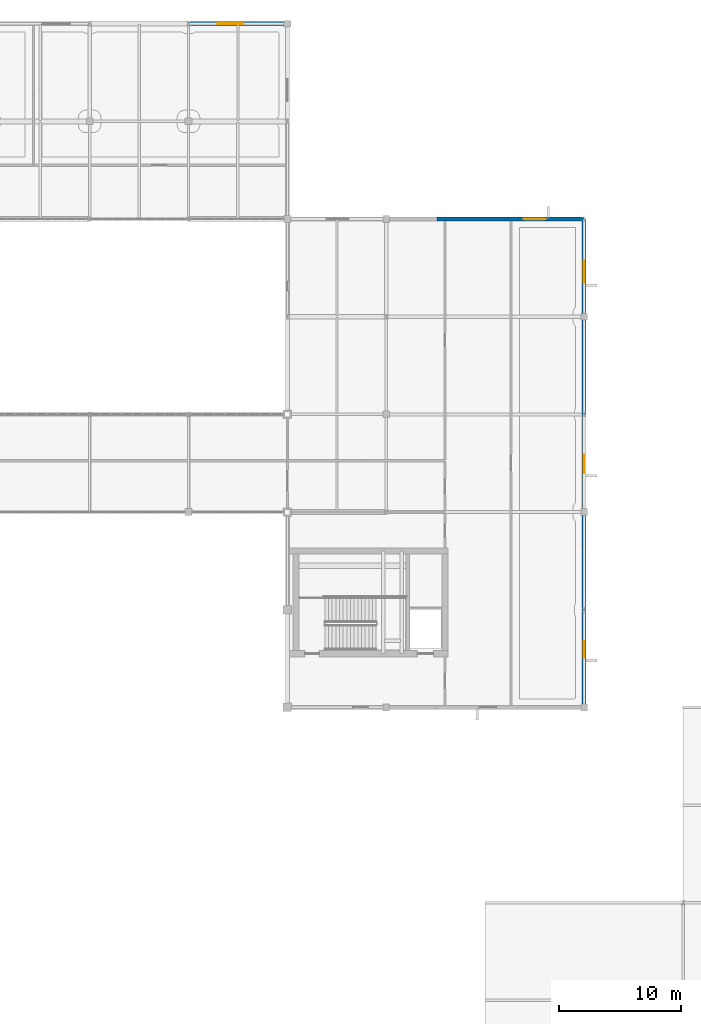
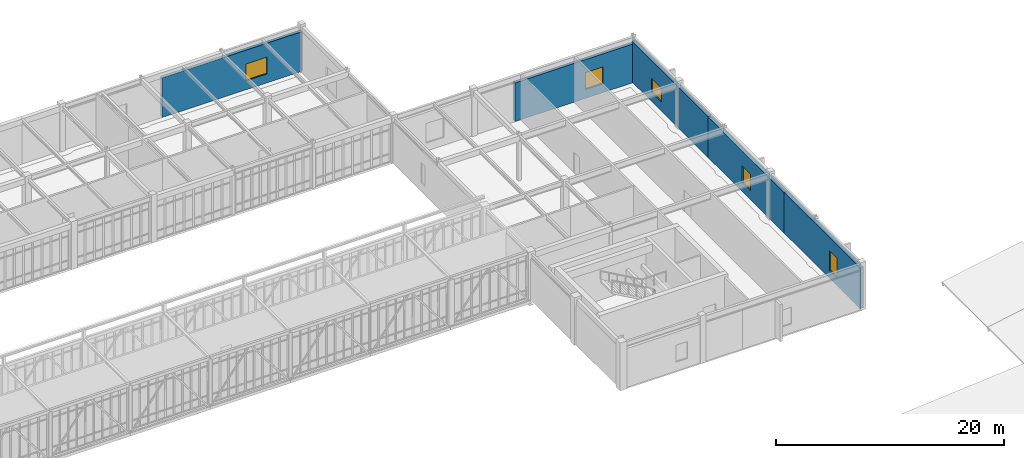
# One storey, part 99 of 107: 5 walls, 5 windows, 5 openings.
"""IFC4 building model written with IfcOpenShell, lengths in metres."""

import ifcopenshell
import ifcopenshell.guid

model = None  # the IFC model being written
_history = None  # IfcOwnerHistory: only IFC2X3 demands one
_inside = {}  # id of a spatial element -> (the spatial element, [elements in it])
_under = {}  # id of a project, library or spatial element -> (it, [spatial elements below it])
_declared = {}  # id of a project -> (the project, [libraries it declares])
_typed = {}  # id of a type object -> (the type object, [elements of that type])
_made_of = {}  # id of a material, layer set ... -> (it, [elements and type objects made of it])


def new_model(schema):
    """Start an empty IFC model of exactly this schema.

    Asked for "IFC4X3", IfcOpenShell would pick the latest addendum, in which some entities
    have other attributes; the version numbers below select the first issue.
    IFC2X3 requires an IfcOwnerHistory on every rooted entity: one is made here for all.
    """
    global model, _history
    if schema == "IFC4X3":
        model = ifcopenshell.file(schema_version=(4, 3, 0, 0))
    else:
        model = ifcopenshell.file(schema=schema)
    _inside.clear()
    _under.clear()
    _declared.clear()
    _typed.clear()
    _made_of.clear()
    _history = None
    if model.schema == "IFC2X3":
        org = make("IfcOrganization", Name="unknown")
        user = make(
            "IfcPersonAndOrganization",
            ThePerson=make("IfcPerson", FamilyName="unknown"),
            TheOrganization=org,
        )
        app = make(
            "IfcApplication",
            ApplicationDeveloper=org,
            Version="unknown",
            ApplicationFullName="unknown",
            ApplicationIdentifier="unknown",
        )
        _history = make(
            "IfcOwnerHistory",
            OwningUser=user,
            OwningApplication=app,
            ChangeAction="ADDED",
            CreationDate=0,
        )
    return model


def make(cls, **values):
    """One entity of the class cls with the attributes given. An attribute that is None is left unset."""
    return model.create_entity(
        cls, **{name: value for name, value in values.items() if value is not None}
    )


def rooted(cls, **values):
    """An entity with a GlobalId (a new one), such as an element, a storey or a relation."""
    return make(cls, GlobalId=ifcopenshell.guid.new(), OwnerHistory=_history, **values)


def si_unit(unit_type, name, prefix=None):
    """IfcSIUnit, for example si_unit("LENGTHUNIT", "METRE", prefix="MILLI")."""
    return make("IfcSIUnit", UnitType=unit_type, Prefix=prefix, Name=name)


def assignment(units):
    """IfcUnitAssignment: the units of a project."""
    return None if units is None else make("IfcUnitAssignment", Units=units)


def point(xyz):
    """IfcCartesianPoint."""
    return None if xyz is None else make("IfcCartesianPoint", Coordinates=xyz)


def direction(xyz):
    """IfcDirection."""
    return None if xyz is None else make("IfcDirection", DirectionRatios=xyz)


def frame(location, z_axis=None, x_axis=None):
    """IfcAxis2Placement3D, a coordinate frame: its origin and axes. An axis left out is left unset."""
    return make(
        "IfcAxis2Placement3D",
        Location=point(location),
        Axis=direction(z_axis),
        RefDirection=direction(x_axis),
    )


def frame_2d(location, x_axis=None):
    """IfcAxis2Placement2D, a coordinate frame in the plane: its origin and x axis."""
    return make(
        "IfcAxis2Placement2D", Location=point(location), RefDirection=direction(x_axis)
    )


def origin():
    """The frame at (0, 0, 0) with its axes left unset."""
    return frame((0.0, 0.0, 0.0))


def place(relative_to, where):
    """IfcLocalPlacement: puts the frame where relative to a parent placement (None: the world)."""
    return make(
        "IfcLocalPlacement", PlacementRelTo=relative_to, RelativePlacement=where
    )


def context(
    kind, dimensions, precision=None, world=None, true_north=None, identifier=None
):
    """IfcGeometricRepresentationContext, for example the 3D "Model" context."""
    return make(
        "IfcGeometricRepresentationContext",
        ContextIdentifier=identifier,
        ContextType=kind,
        CoordinateSpaceDimension=dimensions,
        Precision=precision,
        WorldCoordinateSystem=world,
        TrueNorth=true_north,
    )


def subcontext(parent, identifier, kind, view, scale=None):
    """IfcGeometricRepresentationSubContext, for example "Body" below "Model"."""
    return make(
        "IfcGeometricRepresentationSubContext",
        ContextIdentifier=identifier,
        ContextType=kind,
        ParentContext=parent,
        TargetScale=scale,
        TargetView=view,
    )


def project(units=None, contexts=None):
    """IfcProject with its units and contexts."""
    return rooted(
        "IfcProject",
        Name="project",
        RepresentationContexts=contexts,
        UnitsInContext=assignment(units),
    )


def spatial(cls, under=None, at=None, **own):
    """A site, building, storey or space (cls), placed at a placement, below another one or the project."""
    s = rooted(cls, ObjectPlacement=at, **own)
    if under is not None:
        _under.setdefault(under.id(), (under, []))[1].append(s)
    return s


def profile(cls, at=None, kind="AREA", **sizes):
    """A parametric profile (cls). Its sizes go by their IFC names, for example OverallWidth=200.0."""
    return make(cls, ProfileType=kind, Position=at, **sizes)


def rectangle(**sizes):
    """IfcRectangleProfileDef."""
    return profile("IfcRectangleProfileDef", **sizes)


def extrude(swept, where, along, depth):
    """IfcExtrudedAreaSolid: the profile swept, set in the frame where, extruded along a direction by depth."""
    return make(
        "IfcExtrudedAreaSolid",
        SweptArea=swept,
        Position=where,
        ExtrudedDirection=direction(along),
        Depth=depth,
    )


def shape(context_of_items, identifier, shape_type, items):
    """IfcShapeRepresentation: the items that make up one representation, for example the "Body"."""
    return make(
        "IfcShapeRepresentation",
        ContextOfItems=context_of_items,
        RepresentationIdentifier=identifier,
        RepresentationType=shape_type,
        Items=items,
    )


def material(Name=None, Category=None):
    """IfcMaterial."""
    return make("IfcMaterial", Name=Name, Category=Category)


def layer(
    of_material, thickness, ventilated=None, Name=None, Category=None, Priority=None
):
    """IfcMaterialLayer: one layer of a wall or slab, of a material (None: an air gap)."""
    return make(
        "IfcMaterialLayer",
        Material=of_material,
        LayerThickness=thickness,
        IsVentilated=ventilated,
        Name=Name,
        Category=Category,
        Priority=Priority,
    )


def layer_set(layers, Name=None):
    """IfcMaterialLayerSet."""
    return make("IfcMaterialLayerSet", MaterialLayers=layers, LayerSetName=Name)


def made_of(thing, what):
    """Note that an element or type object is made of a material, layer set ...; save() writes the relation."""
    if what is not None:
        _made_of.setdefault(what.id(), (what, []))[1].append(thing)
    return thing


def type_object(cls, material=None, **own):
    """A type object (cls), such as IfcWallType, which elements share."""
    return made_of(rooted(cls, **own), material)


def element(
    cls,
    number,
    at=None,
    inside=None,
    cuts=None,
    type_object=None,
    material=None,
    context=None,
    identifier="Body",
    shape_type=None,
    held_by="IfcProductDefinitionShape",
    body=None,
    shapes=None,
    **own,
):
    """One element of the class cls, such as IfcWall. Its Tag is "e" and its number.

    at: its placement. inside: the storey or other place that contains it. cuts: it is an
    opening in that element (IfcRelVoidsElement). A single representation is given by context,
    identifier, shape_type and body (its items); several are given by shapes. held_by: the class
    of the entity that holds the representations. save() writes the other relations.
    """
    e = rooted(cls, Tag="e%d" % number, ObjectPlacement=at, **own)
    if body is not None:
        shapes = [shape(context, identifier, shape_type, body)]
    if shapes is not None:
        e.Representation = make(held_by, Representations=shapes)
    if inside is not None:
        _inside.setdefault(inside.id(), (inside, []))[1].append(e)
    if cuts is not None:
        rooted(
            "IfcRelVoidsElement", RelatingBuildingElement=cuts, RelatedOpeningElement=e
        )
    if type_object is not None:
        _typed.setdefault(type_object.id(), (type_object, []))[1].append(e)
    return made_of(e, material)


def fill(opening, filler):
    """IfcRelFillsElement: the door or window that sits in an opening."""
    return rooted(
        "IfcRelFillsElement",
        RelatingOpeningElement=opening,
        RelatedBuildingElement=filler,
    )


def aggregate(whole, parts):
    """IfcRelAggregates: a whole, such as a stair, and the parts it consists of."""
    return rooted("IfcRelAggregates", RelatingObject=whole, RelatedObjects=parts)


def save(model, path):
    """Write the relations noted so far, then the file.

    IfcRelAggregates (storeys below a building ...), IfcRelContainedInSpatialStructure (elements
    in a storey), IfcRelDefinesByType, IfcRelAssociatesMaterial and IfcRelDeclares: one each for
    every whole, place, type object, material and project.
    """
    for whole, parts in _under.values():
        aggregate(whole, parts)
    for where, things in _inside.values():
        rooted(
            "IfcRelContainedInSpatialStructure",
            RelatedElements=things,
            RelatingStructure=where,
        )
    for kind, things in _typed.values():
        rooted("IfcRelDefinesByType", RelatedObjects=things, RelatingType=kind)
    for what, things in _made_of.values():
        rooted("IfcRelAssociatesMaterial", RelatedObjects=things, RelatingMaterial=what)
    for by, libraries in _declared.values():
        rooted("IfcRelDeclares", RelatingContext=by, RelatedDefinitions=libraries)
    model.write(path)


model = new_model("IFC4")

# Units and contexts
model_context = context("Model", 3, precision=1e-05, world=origin(), true_north=direction((0.0, 1.0)))
body_context = subcontext(model_context, "Body", "Model", "MODEL_VIEW")
ifc_project = project(units=[si_unit("LENGTHUNIT", "METRE"), si_unit("AREAUNIT", "SQUARE_METRE"), si_unit("VOLUMEUNIT", "CUBIC_METRE"), si_unit("PLANEANGLEUNIT", "RADIAN"), si_unit("MASSUNIT", "GRAM", prefix="KILO")], contexts=[model_context])

# Site, building, storey
site_placement = place(None, origin())
site = spatial("IfcSite", under=ifc_project, at=site_placement, CompositionType="ELEMENT")
building_placement = place(site_placement, origin())
building = spatial("IfcBuilding", under=site, at=building_placement, Name="Tarnveldt Square Police Headquarters", CompositionType="ELEMENT")
storey_placement = place(building_placement, frame((0.0, 0.0, 14.699951171875)))
storey = spatial("IfcBuildingStorey", under=building, at=storey_placement, Name="L03", CompositionType="ELEMENT", Elevation=14.699951171875)

# Wall, opening, window
ifc_material_1 = material(Name="Concrete 40 MPa", Category="concrete")
ifc_layer = layer(ifc_material_1, 0.320068359375)
ifc_layer_set = layer_set([ifc_layer], Name="Concrete 40 MPa")
wall_type = type_object("IfcWallType", Name="WL-EXT-BH320", PredefinedType="SOLIDWALL", material=ifc_layer_set)
wall_1_placement = place(storey_placement, frame((129.60009765625, 56.0, 0.0), z_axis=(0.0, 0.0, 1.0), x_axis=(0.0, 1.0, 0.0)))
wall_1 = element("IfcWall", 1, at=wall_1_placement, inside=storey, type_object=wall_type, Name="L03 Brutalist Exterior Wall 0165", PredefinedType="SOLIDWALL", context=body_context, shape_type="SweptSolid", body=[
    extrude(rectangle(XDim=13.333251953125, YDim=0.320068359375, at=frame_2d((6.66650390625, 0.0))), origin(), (0.0, 0.0, 1.0), 4.369140625),
])
opening_1_placement = place(wall_1_placement, frame((4.050048828125, 0.0, 0.85009765625)))
opening_1 = element("IfcOpeningElement", 2, at=opening_1_placement, cuts=wall_1, Name="Opening W06", PredefinedType="OPENING", context=body_context, shape_type="SweptSolid", body=[
    extrude(rectangle(XDim=1.35009765625, YDim=2.10009765625, at=frame_2d((0.675048828125, 1.050048828125))), frame((0.0, 0.169921875, 0.0), z_axis=(0.0, -1.0, 0.0), x_axis=(1.0, 0.0, 0.0)), (0.0, 0.0, 1.0), 0.340087890625),
])
ifc_material_2 = material(Name="Triple-glazed low-e laminated vision glass", Category="glass")
window_type_1 = type_object("IfcWindowType", Name="WIN-DR-135x210", PartitioningType="DOUBLE_PANEL_VERTICAL", PredefinedType="WINDOW", material=ifc_material_2)
window_1_placement = place(opening_1_placement, origin())
window_1 = element("IfcWindow", 3, at=window_1_placement, inside=storey, type_object=window_type_1, Name="L03 Deep-Reveal Brutalist Window 0078", OverallHeight=2.10009765625, OverallWidth=1.35009765625, PartitioningType="DOUBLE_PANEL_VERTICAL", PredefinedType="WINDOW", context=body_context, shape_type="SweptSolid", body=[
    extrude(rectangle(XDim=1.35009765625, YDim=2.10009765625, at=frame_2d((0.675048828125, 1.050048828125))), frame((0.0, 0.030029296875, 0.0), z_axis=(0.0, -1.0, 0.0), x_axis=(1.0, 0.0, 0.0)), (0.0, 0.0, 1.0), 0.06005859375),
])
fill(opening_1, window_1)

wall_2_placement = place(storey_placement, frame((129.60009765625, 69.333251953125, 0.0), z_axis=(0.0, 0.0, 1.0), x_axis=(0.0, 1.0, 0.0)))
wall_2 = element("IfcWall", 4, at=wall_2_placement, inside=storey, type_object=wall_type, Name="L03 Brutalist Exterior Wall 0166", PredefinedType="SOLIDWALL", context=body_context, shape_type="SweptSolid", body=[
    extrude(rectangle(XDim=13.33349609375, YDim=0.320068359375, at=frame_2d((6.666748046875, 0.0))), origin(), (0.0, 0.0, 1.0), 4.33203125),
])
opening_2_placement = place(wall_2_placement, frame((5.85009765625, 0.0, 0.949951171875)))
opening_2 = element("IfcOpeningElement", 5, at=opening_2_placement, cuts=wall_2, Name="Opening W07", PredefinedType="OPENING", context=body_context, shape_type="SweptSolid", body=[
    extrude(rectangle(XDim=1.5, YDim=1.800048828125, at=frame_2d((0.75, 0.89990234375))), frame((0.0, 0.169921875, 0.0), z_axis=(0.0, -1.0, 0.0), x_axis=(1.0, 0.0, 0.0)), (0.0, 0.0, 1.0), 0.340087890625),
])
window_type_2 = type_object("IfcWindowType", Name="WIN-DR-150x180", PartitioningType="DOUBLE_PANEL_VERTICAL", PredefinedType="WINDOW", material=ifc_material_2)
window_2_placement = place(opening_2_placement, origin())
window_2 = element("IfcWindow", 6, at=window_2_placement, inside=storey, type_object=window_type_2, Name="L03 Deep-Reveal Brutalist Window 0079", OverallHeight=1.800048828125, OverallWidth=1.5, PartitioningType="DOUBLE_PANEL_VERTICAL", PredefinedType="WINDOW", context=body_context, shape_type="SweptSolid", body=[
    extrude(rectangle(XDim=1.5, YDim=1.800048828125, at=frame_2d((0.75, 0.89990234375))), frame((0.0, 0.030029296875, 0.0), z_axis=(0.0, -1.0, 0.0), x_axis=(1.0, 0.0, 0.0)), (0.0, 0.0, 1.0), 0.06005859375),
])
fill(opening_2, window_2)

wall_3_placement = place(storey_placement, frame((129.60009765625, 82.666748046875, 0.0), z_axis=(0.0, 0.0, 1.0), x_axis=(0.0, 1.0, 0.0)))
wall_3 = element("IfcWall", 7, at=wall_3_placement, inside=storey, type_object=wall_type, Name="L03 Brutalist Exterior Wall 0167", PredefinedType="SOLIDWALL", context=body_context, shape_type="SweptSolid", body=[
    extrude(rectangle(XDim=13.333251953125, YDim=0.320068359375, at=frame_2d((6.66650390625, 0.0))), origin(), (0.0, 0.0, 1.0), 4.369140625),
])
opening_3_placement = place(wall_3_placement, frame((8.10009765625, 0.0, 0.949951171875)))
opening_3 = element("IfcOpeningElement", 8, at=opening_3_placement, cuts=wall_3, Name="Opening W08", PredefinedType="OPENING", context=body_context, shape_type="SweptSolid", body=[
    extrude(rectangle(XDim=1.800048828125, YDim=1.5, at=frame_2d((0.89990234375, 0.75))), frame((0.0, 0.169921875, 0.0), z_axis=(0.0, -1.0, 0.0), x_axis=(1.0, 0.0, 0.0)), (0.0, 0.0, 1.0), 0.340087890625),
])
window_type_3 = type_object("IfcWindowType", Name="WIN-DR-180x150", PartitioningType="DOUBLE_PANEL_VERTICAL", PredefinedType="WINDOW", material=ifc_material_2)
window_3_placement = place(opening_3_placement, origin())
window_3 = element("IfcWindow", 9, at=window_3_placement, inside=storey, type_object=window_type_3, Name="L03 Deep-Reveal Brutalist Window 0080", OverallHeight=1.5, OverallWidth=1.800048828125, PartitioningType="DOUBLE_PANEL_VERTICAL", PredefinedType="WINDOW", context=body_context, shape_type="SweptSolid", body=[
    extrude(rectangle(XDim=1.800048828125, YDim=1.5, at=frame_2d((0.89990234375, 0.75))), frame((0.0, 0.030029296875, 0.0), z_axis=(0.0, -1.0, 0.0), x_axis=(1.0, 0.0, 0.0)), (0.0, 0.0, 1.0), 0.06005859375),
])
fill(opening_3, window_3)

wall_4_placement = place(storey_placement, frame((129.60009765625, 96.0, 0.0), z_axis=(0.0, 0.0, 1.0), x_axis=(-1.0, 0.0, 0.0)))
wall_4 = element("IfcWall", 10, at=wall_4_placement, inside=storey, type_object=wall_type, Name="L03 Brutalist Exterior Wall 0168", PredefinedType="SOLIDWALL", context=body_context, shape_type="SweptSolid", body=[
    extrude(rectangle(XDim=12.06005859375, YDim=0.320068359375, at=frame_2d((6.030029296875, 0.0))), origin(), (0.0, 0.0, 1.0), 4.14404296875),
])
opening_4_placement = place(wall_4_placement, frame((3.14990234375, 0.0, 0.949951171875)))
opening_4 = element("IfcOpeningElement", 11, at=opening_4_placement, cuts=wall_4, Name="Opening W09", PredefinedType="OPENING", context=body_context, shape_type="SweptSolid", body=[
    extrude(rectangle(XDim=1.800048828125, YDim=1.800048828125, at=frame_2d((0.89990234375, 0.89990234375))), frame((0.0, 0.169921875, 0.0), z_axis=(0.0, -1.0, 0.0), x_axis=(1.0, 0.0, 0.0)), (0.0, 0.0, 1.0), 0.340087890625),
])
window_type_4 = type_object("IfcWindowType", Name="WIN-DR-180x180", PartitioningType="DOUBLE_PANEL_VERTICAL", PredefinedType="WINDOW", material=ifc_material_2)
window_4_placement = place(opening_4_placement, origin())
window_4 = element("IfcWindow", 12, at=window_4_placement, inside=storey, type_object=window_type_4, Name="L03 Deep-Reveal Brutalist Window 0081", OverallHeight=1.800048828125, OverallWidth=1.800048828125, PartitioningType="DOUBLE_PANEL_VERTICAL", PredefinedType="WINDOW", context=body_context, shape_type="SweptSolid", body=[
    extrude(rectangle(XDim=1.800048828125, YDim=1.800048828125, at=frame_2d((0.89990234375, 0.89990234375))), frame((0.0, 0.030029296875, 0.0), z_axis=(0.0, -1.0, 0.0), x_axis=(1.0, 0.0, 0.0)), (0.0, 0.0, 1.0), 0.06005859375),
])
fill(opening_4, window_4)

wall_5_placement = place(storey_placement, frame((105.300048828125, 112.0, 0.0), z_axis=(0.0, 0.0, 1.0), x_axis=(-1.0, 0.0, 0.0)))
wall_5 = element("IfcWall", 13, at=wall_5_placement, inside=storey, type_object=wall_type, Name="L03 Brutalist Exterior Wall 0171", PredefinedType="SOLIDWALL", context=body_context, shape_type="SweptSolid", body=[
    extrude(rectangle(XDim=14.175048828125, YDim=0.320068359375, at=frame_2d((7.08740234375, 0.0))), origin(), (0.0, 0.0, 1.0), 4.23193359375),
])
opening_5_placement = place(wall_5_placement, frame((3.60009765625, 0.0, 0.949951171875)))
opening_5 = element("IfcOpeningElement", 14, at=opening_5_placement, cuts=wall_5, Name="Opening W12", PredefinedType="OPENING", context=body_context, shape_type="SweptSolid", body=[
    extrude(rectangle(XDim=2.10009765625, YDim=1.800048828125, at=frame_2d((1.050048828125, 0.89990234375))), frame((0.0, 0.169921875, 0.0), z_axis=(0.0, -1.0, 0.0), x_axis=(1.0, 0.0, 0.0)), (0.0, 0.0, 1.0), 0.340087890625),
])
window_type_5 = type_object("IfcWindowType", Name="WIN-DR-210x180", PartitioningType="DOUBLE_PANEL_VERTICAL", PredefinedType="WINDOW", material=ifc_material_2)
window_5_placement = place(opening_5_placement, origin())
window_5 = element("IfcWindow", 15, at=window_5_placement, inside=storey, type_object=window_type_5, Name="L03 Deep-Reveal Brutalist Window 0084", OverallHeight=1.800048828125, OverallWidth=2.10009765625, PartitioningType="DOUBLE_PANEL_VERTICAL", PredefinedType="WINDOW", context=body_context, shape_type="SweptSolid", body=[
    extrude(rectangle(XDim=2.10009765625, YDim=1.800048828125, at=frame_2d((1.050048828125, 0.89990234375))), frame((0.0, 0.030029296875, 0.0), z_axis=(0.0, -1.0, 0.0), x_axis=(1.0, 0.0, 0.0)), (0.0, 0.0, 1.0), 0.06005859375),
])
fill(opening_5, window_5)

save(model, "model.ifc")
